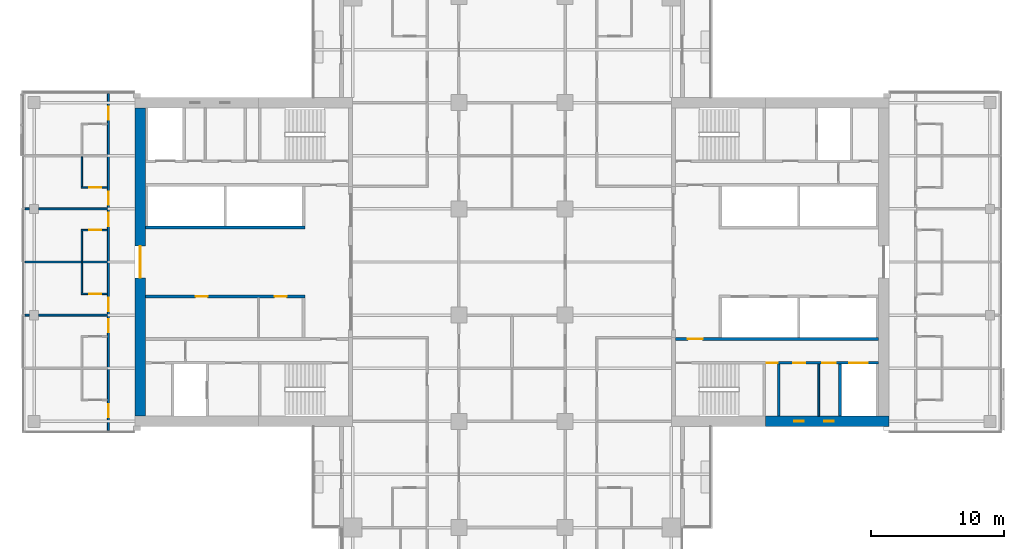
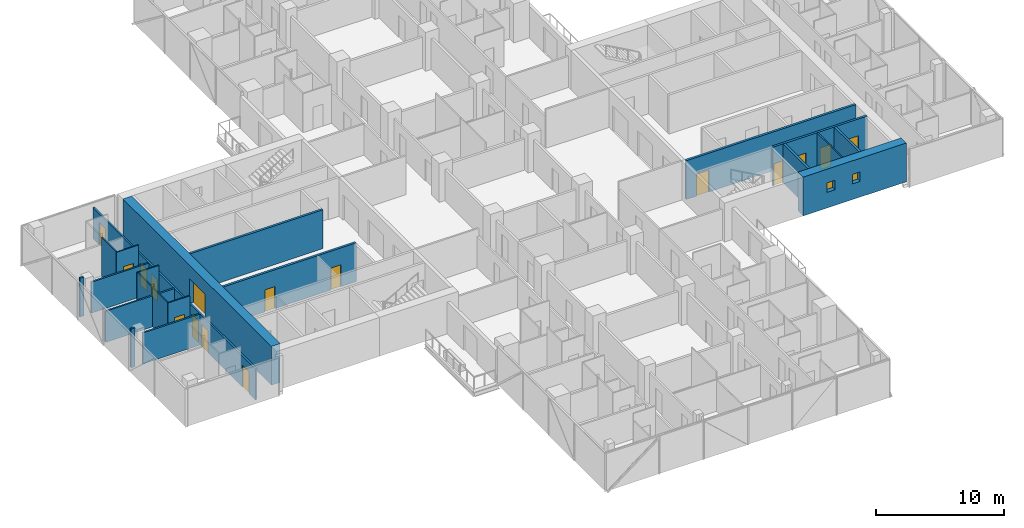
# One storey, part 18 of 29: 21 walls, 17 doors, 2 windows, 19 openings.
"""IFC4 building model written with IfcOpenShell, lengths in metres."""

from ifc_helpers import new_model, si_unit, direction, frame, frame_2d, origin, place, context, subcontext, project, spatial, rectangle, extrude, material, layer, layer_set, constituent, constituent_set, type_object, element, fill, save


model = new_model("IFC4")

# Units and contexts
model_context = context("Model", 3, precision=1e-05, world=origin(), true_north=direction((0.0, 1.0)))
body_context = subcontext(model_context, "Body", "Model", "MODEL_VIEW")
ifc_project = project(units=[si_unit("LENGTHUNIT", "METRE"), si_unit("AREAUNIT", "SQUARE_METRE"), si_unit("VOLUMEUNIT", "CUBIC_METRE"), si_unit("PLANEANGLEUNIT", "RADIAN"), si_unit("MASSUNIT", "GRAM", prefix="KILO")], contexts=[model_context])

# Site, building, storey
site_placement = place(None, origin())
site = spatial("IfcSite", under=ifc_project, at=site_placement, CompositionType="ELEMENT")
building_placement = place(site_placement, origin())
building = spatial("IfcBuilding", under=site, at=building_placement, Name="Crosswind Convention Tower", CompositionType="ELEMENT")
storey_placement = place(building_placement, frame((0.0, 0.0, 60.89990234375)))
storey = spatial("IfcBuildingStorey", under=building, at=storey_placement, Name="L09", CompositionType="ELEMENT", Elevation=60.89990234375)

# Wall
ifc_material_1 = material(Name="Concrete blockwork", Category="masonry")
ifc_layer_1 = layer(ifc_material_1, 0.199951171875)
ifc_layer_set_1 = layer_set([ifc_layer_1], Name="Blockwork partition wall 200")
wall_type_1 = type_object("IfcWallType", Name="Blockwork partition wall 200", PredefinedType="PARTITIONING", material=ifc_layer_set_1)
wall_1_placement = place(storey_placement, frame((145.10009765625, 88.39990234375, 0.0), z_axis=(0.0, 0.0, 1.0), x_axis=(0.0, 1.0, 0.0)))
element("IfcWall", 1, at=wall_1_placement, inside=storey, type_object=wall_type_1, Name="Wall MRSE E L09", PredefinedType="PARTITIONING", context=body_context, shape_type="SweptSolid", body=[
    extrude(rectangle(XDim=3.900146484375, YDim=0.199951171875, at=frame_2d((1.9501953125, 0.0))), origin(), (0.0, 0.0, 1.0), 3.7001953125),
])

# Wall, opening, door
ifc_material_2 = material(Name="Concrete C60/75", Category="concrete")
ifc_layer_2 = layer(ifc_material_2, 0.800048828125)
ifc_layer_set_2 = layer_set([ifc_layer_2], Name="Concrete C60/75")
wall_type_2 = type_object("IfcWallType", Name="Concrete core wall 800", PredefinedType="SHEAR", material=ifc_layer_set_2)
wall_2_placement = place(storey_placement, frame((97.0, 111.60009765625, 0.0), z_axis=(0.0, 0.0, 1.0), x_axis=(0.0, -1.0, 0.0)))
wall_2 = element("IfcWall", 2, at=wall_2_placement, inside=storey, type_object=wall_type_2, Name="Wall O W L09", PredefinedType="SHEAR", context=body_context, shape_type="SweptSolid", body=[
    extrude(rectangle(XDim=23.2001953125, YDim=0.800048828125, at=frame_2d((11.60009765625, 0.0))), origin(), (0.0, 0.0, 1.0), 3.7001953125),
])
opening_1_placement = place(wall_2_placement, frame((10.39990234375, 0.0, 0.0)))
opening_1 = element("IfcOpeningElement", 3, at=opening_1_placement, cuts=wall_2, Name="Opening D100", PredefinedType="OPENING", context=body_context, shape_type="SweptSolid", body=[
    extrude(rectangle(XDim=2.39990234375, YDim=2.39990234375, at=frame_2d((1.199951171875, 1.199951171875))), frame((0.0, 0.409912109375, 0.0), z_axis=(0.0, -1.0, 0.0), x_axis=(1.0, 0.0, 0.0)), (0.0, 0.0, 1.0), 0.820068359375),
])
ifc_material_3 = material(Name="Steel fire door with glazed vision panels", Category="steel")
door_type_1 = type_object("IfcDoorType", Name="Fire-rated double door 2400x2400", OperationType="DOUBLE_DOOR_SINGLE_SWING", PredefinedType="DOOR", material=ifc_material_3)
door_1_placement = place(opening_1_placement, origin())
door_1 = element("IfcDoor", 4, at=door_1_placement, inside=storey, type_object=door_type_1, Name="Lobby outer door L09", ObjectType="D100", OperationType="DOUBLE_DOOR_SINGLE_SWING", OverallHeight=2.39990234375, OverallWidth=2.39990234375, PredefinedType="DOOR", context=body_context, shape_type="SweptSolid", body=[
    extrude(rectangle(XDim=2.39990234375, YDim=2.39990234375, at=frame_2d((1.199951171875, 1.199951171875))), frame((0.0, 0.02490234375, 0.0), z_axis=(0.0, -1.0, 0.0), x_axis=(1.0, 0.0, 0.0)), (0.0, 0.0, 1.0), 0.050048828125),
])
fill(opening_1, door_1)

ifc_material_4 = material(Name="Concrete C50/60", Category="concrete")
ifc_layer_3 = layer(ifc_material_4, 0.199951171875)
ifc_layer_set_3 = layer_set([ifc_layer_3], Name="Concrete C50/60")
wall_type_3 = type_object("IfcWallType", Name="Concrete shaft and stair wall 200", PredefinedType="SHEAR", material=ifc_layer_set_3)
wall_3_placement = place(storey_placement, frame((137.300048828125, 94.199951171875, 0.0), z_axis=(0.0, 0.0, 1.0), x_axis=(1.0, 0.0, 0.0)))
wall_3 = element("IfcWall", 5, at=wall_3_placement, inside=storey, type_object=wall_type_3, Name="Wall HM E L09", PredefinedType="SHEAR", context=body_context, shape_type="SweptSolid", body=[
    extrude(rectangle(XDim=15.300048828125, YDim=0.199951171875, at=frame_2d((7.64990234375, 0.0))), origin(), (0.0, 0.0, 1.0), 3.7001953125),
])
opening_2_placement = place(wall_3_placement, frame((0.949951171875, 0.0, 0.0)))
opening_2 = element("IfcOpeningElement", 6, at=opening_2_placement, cuts=wall_3, Name="Opening D104", PredefinedType="OPENING", context=body_context, shape_type="SweptSolid", body=[
    extrude(rectangle(XDim=1.10009765625, YDim=2.10009765625, at=frame_2d((0.550048828125, 1.050048828125))), frame((0.0, 0.10986328125, 0.0), z_axis=(0.0, -1.0, 0.0), x_axis=(1.0, 0.0, 0.0)), (0.0, 0.0, 1.0), 0.219970703125),
])
ifc_material_5 = material(Name="Steel fire door", Category="steel")
door_type_2 = type_object("IfcDoorType", Name="Fire-rated single door 1100x2100", OperationType="NOTDEFINED", PredefinedType="DOOR", material=ifc_material_5)
door_2_placement = place(opening_2_placement, origin())
door_2 = element("IfcDoor", 7, at=door_2_placement, inside=storey, type_object=door_type_2, Name="Corridor door L09", ObjectType="D104", OperationType="SINGLE_SWING_LEFT", OverallHeight=2.10009765625, OverallWidth=1.10009765625, PredefinedType="DOOR", context=body_context, shape_type="SweptSolid", body=[
    extrude(rectangle(XDim=1.10009765625, YDim=2.10009765625, at=frame_2d((0.550048828125, 1.050048828125))), frame((0.0, 0.02490234375, 0.0), z_axis=(0.0, -1.0, 0.0), x_axis=(1.0, 0.0, 0.0)), (0.0, 0.0, 1.0), 0.050048828125),
])
fill(opening_2, door_2)

# Wall
wall_4_placement = place(storey_placement, frame((149.699951171875, 88.39990234375, 0.0), z_axis=(0.0, 0.0, 1.0), x_axis=(0.0, 1.0, 0.0)))
element("IfcWall", 8, at=wall_4_placement, inside=storey, type_object=wall_type_3, Name="Wall MFSW E L09", PredefinedType="SHEAR", context=body_context, shape_type="SweptSolid", body=[
    extrude(rectangle(XDim=3.900146484375, YDim=0.199951171875, at=frame_2d((1.9501953125, 0.0))), origin(), (0.0, 0.0, 1.0), 3.7001953125),
])

# Wall, openings, doors
wall_5_placement = place(storey_placement, frame((144.10009765625, 92.39990234375, 0.0), z_axis=(0.0, 0.0, 1.0), x_axis=(1.0, 0.0, 0.0)))
wall_5 = element("IfcWall", 9, at=wall_5_placement, inside=storey, type_object=wall_type_3, Name="Wall MCX E L09", PredefinedType="SHEAR", context=body_context, shape_type="SweptSolid", body=[
    extrude(rectangle(XDim=8.5, YDim=0.199951171875, at=frame_2d((4.25, 0.0))), origin(), (0.0, 0.0, 1.0), 3.7001953125),
])
opening_3_placement = place(wall_5_placement, frame((0.10009765625, 0.0, 0.0)))
opening_3 = element("IfcOpeningElement", 10, at=opening_3_placement, cuts=wall_5, Name="Opening D105", PredefinedType="OPENING", context=body_context, shape_type="SweptSolid", body=[
    extrude(rectangle(XDim=0.800048828125, YDim=2.10009765625, at=frame_2d((0.39990234375, 1.050048828125))), frame((0.0, 0.10986328125, 0.0), z_axis=(0.0, -1.0, 0.0), x_axis=(1.0, 0.0, 0.0)), (0.0, 0.0, 1.0), 0.219970703125),
])
opening_4_placement = place(wall_5_placement, frame((2.07080078125, 0.0, 0.0)))
opening_4 = element("IfcOpeningElement", 11, at=opening_4_placement, cuts=wall_5, Name="Opening D106", PredefinedType="OPENING", context=body_context, shape_type="SweptSolid", body=[
    extrude(rectangle(XDim=0.89990234375, YDim=2.10009765625, at=frame_2d((0.449951171875, 1.050048828125))), frame((0.0, 0.10986328125, 0.0), z_axis=(0.0, -1.0, 0.0), x_axis=(1.0, 0.0, 0.0)), (0.0, 0.0, 1.0), 0.219970703125),
])
opening_5_placement = place(wall_5_placement, frame((4.283203125, 0.0, 0.0)))
opening_5 = element("IfcOpeningElement", 12, at=opening_5_placement, cuts=wall_5, Name="Opening D103", PredefinedType="OPENING", context=body_context, shape_type="SweptSolid", body=[
    extrude(rectangle(XDim=1.0, YDim=2.10009765625, at=frame_2d((0.5, 1.050048828125))), frame((0.0, 0.10986328125, 0.0), z_axis=(0.0, -1.0, 0.0), x_axis=(1.0, 0.0, 0.0)), (0.0, 0.0, 1.0), 0.219970703125),
])
opening_6_placement = place(wall_5_placement, frame((6.300048828125, 0.0, 0.0)))
opening_6 = element("IfcOpeningElement", 13, at=opening_6_placement, cuts=wall_5, Name="Opening LD2", PredefinedType="OPENING", context=body_context, shape_type="SweptSolid", body=[
    extrude(rectangle(XDim=1.39990234375, YDim=2.10009765625, at=frame_2d((0.699951171875, 1.050048828125))), frame((0.0, 0.10986328125, 0.0), z_axis=(0.0, -1.0, 0.0), x_axis=(1.0, 0.0, 0.0)), (0.0, 0.0, 1.0), 0.219970703125),
])
door_type_3 = type_object("IfcDoorType", Name="Fire-rated single door 1000x2100", OperationType="NOTDEFINED", PredefinedType="DOOR", material=ifc_material_5)
door_3_placement = place(opening_5_placement, frame((1.0, 0.0, 0.0), z_axis=(0.0, 0.0, 1.0), x_axis=(-1.0, 0.0, 0.0)))
door_3 = element("IfcDoor", 14, at=door_3_placement, inside=storey, type_object=door_type_3, Name="Door to accessible wc L09", ObjectType="D103", OperationType="SINGLE_SWING_LEFT", OverallHeight=2.10009765625, OverallWidth=1.0, PredefinedType="DOOR", context=body_context, shape_type="SweptSolid", body=[
    extrude(rectangle(XDim=1.0, YDim=2.10009765625, at=frame_2d((0.5, 1.050048828125))), frame((0.0, 0.02490234375, 0.0), z_axis=(0.0, -1.0, 0.0), x_axis=(1.0, 0.0, 0.0)), (0.0, 0.0, 1.0), 0.050048828125),
])
fill(opening_5, door_3)
ifc_material_6 = material(Name="Stainless steel", Category="steel")
door_type_4 = type_object("IfcDoorType", Name="Lift landing door 1400x2100", OperationType="DOUBLE_DOOR_SLIDING", PredefinedType="DOOR", material=ifc_material_6)
door_4_placement = place(opening_6_placement, origin())
door_4 = element("IfcDoor", 15, at=door_4_placement, inside=storey, type_object=door_type_4, Name="Landing door SV1 L09", ObjectType="LD2", OperationType="DOUBLE_DOOR_SLIDING", OverallHeight=2.10009765625, OverallWidth=1.39990234375, PredefinedType="DOOR", context=body_context, shape_type="SweptSolid", body=[
    extrude(rectangle(XDim=1.39990234375, YDim=2.10009765625, at=frame_2d((0.699951171875, 1.050048828125))), frame((0.0, 0.02490234375, 0.0), z_axis=(0.0, -1.0, 0.0), x_axis=(1.0, 0.0, 0.0)), (0.0, 0.0, 1.0), 0.050048828125),
])
fill(opening_6, door_4)
door_type_5 = type_object("IfcDoorType", Name="Riser access door 800x2100", OperationType="NOTDEFINED", PredefinedType="DOOR", material=ifc_material_5)
door_5_placement = place(opening_3_placement, frame((0.800048828125, 0.0, 0.0), z_axis=(0.0, 0.0, 1.0), x_axis=(-1.0, 0.0, 0.0)))
door_5 = element("IfcDoor", 16, at=door_5_placement, inside=storey, type_object=door_type_5, Name="Riser door L09", ObjectType="D105", OperationType="SINGLE_SWING_LEFT", OverallHeight=2.10009765625, OverallWidth=0.800048828125, PredefinedType="DOOR", context=body_context, shape_type="SweptSolid", body=[
    extrude(rectangle(XDim=0.800048828125, YDim=2.10009765625, at=frame_2d((0.39990234375, 1.050048828125))), frame((0.0, 0.02490234375, 0.0), z_axis=(0.0, -1.0, 0.0), x_axis=(1.0, 0.0, 0.0)), (0.0, 0.0, 1.0), 0.050048828125),
])
fill(opening_3, door_5)
ifc_material_7 = material(Name="Timber door", Category="wood")
door_type_6 = type_object("IfcDoorType", Name="Single leaf door 900x2100", OperationType="NOTDEFINED", PredefinedType="DOOR", material=ifc_material_7)
door_6_placement = place(opening_4_placement, frame((0.89990234375, 0.0, 0.0), z_axis=(0.0, 0.0, 1.0), x_axis=(-1.0, 0.0, 0.0)))
door_6 = element("IfcDoor", 17, at=door_6_placement, inside=storey, type_object=door_type_6, Name="Door to wc L09", ObjectType="D106", OperationType="SINGLE_SWING_LEFT", OverallHeight=2.10009765625, OverallWidth=0.89990234375, PredefinedType="DOOR", context=body_context, shape_type="SweptSolid", body=[
    extrude(rectangle(XDim=0.89990234375, YDim=2.10009765625, at=frame_2d((0.449951171875, 1.050048828125))), frame((0.0, 0.02490234375, 0.0), z_axis=(0.0, -1.0, 0.0), x_axis=(1.0, 0.0, 0.0)), (0.0, 0.0, 1.0), 0.050048828125),
])
fill(opening_4, door_6)

wall_6_placement = place(storey_placement, frame((109.39990234375, 97.39990234375, 0.0), z_axis=(0.0, 0.0, 1.0), x_axis=(-1.0, 0.0, 0.0)))
wall_6 = element("IfcWall", 18, at=wall_6_placement, inside=storey, type_object=wall_type_3, Name="Wall RPFRONT W L09", PredefinedType="SHEAR", context=body_context, shape_type="SweptSolid", body=[
    extrude(rectangle(XDim=12.0, YDim=0.199951171875, at=frame_2d((6.0, 0.0))), origin(), (0.0, 0.0, 1.0), 3.7001953125),
])
opening_7_placement = place(wall_6_placement, frame((1.370849609375, 0.0, 0.0)))
opening_7 = element("IfcOpeningElement", 19, at=opening_7_placement, cuts=wall_6, Name="Opening D106", PredefinedType="OPENING", context=body_context, shape_type="SweptSolid", body=[
    extrude(rectangle(XDim=0.89990234375, YDim=2.10009765625, at=frame_2d((0.449951171875, 1.050048828125))), frame((0.0, 0.10986328125, 0.0), z_axis=(0.0, -1.0, 0.0), x_axis=(1.0, 0.0, 0.0)), (0.0, 0.0, 1.0), 0.219970703125),
])
opening_8_placement = place(wall_6_placement, frame((7.333251953125, 0.0, 0.0)))
opening_8 = element("IfcOpeningElement", 20, at=opening_8_placement, cuts=wall_6, Name="Opening D106", PredefinedType="OPENING", context=body_context, shape_type="SweptSolid", body=[
    extrude(rectangle(XDim=0.89990234375, YDim=2.10009765625, at=frame_2d((0.449951171875, 1.050048828125))), frame((0.0, 0.10986328125, 0.0), z_axis=(0.0, -1.0, 0.0), x_axis=(1.0, 0.0, 0.0)), (0.0, 0.0, 1.0), 0.219970703125),
])
door_7_placement = place(opening_7_placement, origin())
door_7 = element("IfcDoor", 21, at=door_7_placement, inside=storey, type_object=door_type_6, Name="Door to housekeeping store L09", ObjectType="D106", OperationType="SINGLE_SWING_RIGHT", OverallHeight=2.10009765625, OverallWidth=0.89990234375, PredefinedType="DOOR", context=body_context, shape_type="SweptSolid", body=[
    extrude(rectangle(XDim=0.89990234375, YDim=2.10009765625, at=frame_2d((0.449951171875, 1.050048828125))), frame((0.0, 0.02490234375, 0.0), z_axis=(0.0, -1.0, 0.0), x_axis=(1.0, 0.0, 0.0)), (0.0, 0.0, 1.0), 0.050048828125),
])
fill(opening_7, door_7)
door_8_placement = place(opening_8_placement, origin())
door_8 = element("IfcDoor", 22, at=door_8_placement, inside=storey, type_object=door_type_6, Name="Door to linen store L09", ObjectType="D106", OperationType="SINGLE_SWING_RIGHT", OverallHeight=2.10009765625, OverallWidth=0.89990234375, PredefinedType="DOOR", context=body_context, shape_type="SweptSolid", body=[
    extrude(rectangle(XDim=0.89990234375, YDim=2.10009765625, at=frame_2d((0.449951171875, 1.050048828125))), frame((0.0, 0.02490234375, 0.0), z_axis=(0.0, -1.0, 0.0), x_axis=(1.0, 0.0, 0.0)), (0.0, 0.0, 1.0), 0.050048828125),
])
fill(opening_8, door_8)

# Walls
wall_7_placement = place(storey_placement, frame((109.39990234375, 102.60009765625, 0.0), z_axis=(0.0, 0.0, 1.0), x_axis=(-1.0, 0.0, 0.0)))
element("IfcWall", 23, at=wall_7_placement, inside=storey, type_object=wall_type_3, Name="Wall RMFRONT W L09", PredefinedType="SHEAR", context=body_context, shape_type="SweptSolid", body=[
    extrude(rectangle(XDim=12.0, YDim=0.199951171875, at=frame_2d((6.0, 0.0))), origin(), (0.0, 0.0, 1.0), 3.7001953125),
])
ifc_material_8 = material(Name="Gypsum plasterboard partition", Category="gypsum")
ifc_layer_4 = layer(ifc_material_8, 0.125)
ifc_layer_set_4 = layer_set([ifc_layer_4], Name="Drywall partition wall 125")
wall_type_4 = type_object("IfcWallType", Name="Drywall partition wall 125", PredefinedType="PARTITIONING", material=ifc_layer_set_4)
wall_8_placement = place(storey_placement, frame((148.10400390625, 88.39990234375, 0.0), z_axis=(0.0, 0.0, 1.0), x_axis=(0.0, 1.0, 0.0)))
element("IfcWall", 24, at=wall_8_placement, inside=storey, type_object=wall_type_4, Name="Wall MWP1 E L09", PredefinedType="PARTITIONING", context=body_context, shape_type="SweptSolid", body=[
    extrude(rectangle(XDim=3.900146484375, YDim=0.125, at=frame_2d((1.9501953125, 0.0))), origin(), (0.0, 0.0, 1.0), 3.7001953125),
])
ifc_material_9 = material(Name="Acoustic plasterboard partition", Category="gypsum")
ifc_layer_5 = layer(ifc_material_9, 0.14990234375)
ifc_layer_set_5 = layer_set([ifc_layer_5], Name="GUEST ROOM WALL 150")
wall_type_5 = type_object("IfcWallType", Name="GUEST ROOM WALL 150", PredefinedType="PARTITIONING", material=ifc_layer_set_5)
wall_9_placement = place(storey_placement, frame((88.300048828125, 96.0, 0.0), z_axis=(0.0, 0.0, 1.0), x_axis=(1.0, 0.0, 0.0)))
element("IfcWall", 25, at=wall_9_placement, inside=storey, type_object=wall_type_5, Name="Guest Room Wall 35", PredefinedType="PARTITIONING", context=body_context, shape_type="SweptSolid", body=[
    extrude(rectangle(XDim=0.349853515625, YDim=0.14990234375, at=frame_2d((0.1748046875, 0.0))), origin(), (0.0, 0.0, 1.0), 3.7001953125),
])
wall_10_placement = place(storey_placement, frame((89.35009765625, 96.0, 0.0), z_axis=(0.0, 0.0, 1.0), x_axis=(1.0, 0.0, 0.0)))
element("IfcWall", 26, at=wall_10_placement, inside=storey, type_object=wall_type_5, Name="Guest Room Wall 36", PredefinedType="PARTITIONING", context=body_context, shape_type="SweptSolid", body=[
    extrude(rectangle(XDim=5.1748046875, YDim=0.14990234375, at=frame_2d((2.58740234375, 0.0))), origin(), (0.0, 0.0, 1.0), 2.95654296875),
])
wall_11_placement = place(storey_placement, frame((88.300048828125, 100.0, 0.0), z_axis=(0.0, 0.0, 1.0), x_axis=(1.0, 0.0, 0.0)))
element("IfcWall", 27, at=wall_11_placement, inside=storey, type_object=wall_type_5, Name="Guest Room Wall 43", PredefinedType="PARTITIONING", context=body_context, shape_type="SweptSolid", body=[
    extrude(rectangle(XDim=6.224853515625, YDim=0.14990234375, at=frame_2d((3.1123046875, 0.0))), origin(), (0.0, 0.0, 1.0), 2.962890625),
])
wall_12_placement = place(storey_placement, frame((88.300048828125, 104.0, 0.0), z_axis=(0.0, 0.0, 1.0), x_axis=(1.0, 0.0, 0.0)))
element("IfcWall", 28, at=wall_12_placement, inside=storey, type_object=wall_type_5, Name="Guest Room Wall 47", PredefinedType="PARTITIONING", context=body_context, shape_type="SweptSolid", body=[
    extrude(rectangle(XDim=0.349853515625, YDim=0.14990234375, at=frame_2d((0.1748046875, 0.0))), origin(), (0.0, 0.0, 1.0), 3.7001953125),
])
wall_13_placement = place(storey_placement, frame((89.35009765625, 104.0, 0.0), z_axis=(0.0, 0.0, 1.0), x_axis=(1.0, 0.0, 0.0)))
element("IfcWall", 29, at=wall_13_placement, inside=storey, type_object=wall_type_5, Name="Guest Room Wall 48", PredefinedType="PARTITIONING", context=body_context, shape_type="SweptSolid", body=[
    extrude(rectangle(XDim=5.1748046875, YDim=0.14990234375, at=frame_2d((2.58740234375, 0.0))), origin(), (0.0, 0.0, 1.0), 2.95654296875),
])

# Wall, openings, doors
wall_14_placement = place(storey_placement, frame((94.60009765625, 87.300048828125, 0.0), z_axis=(0.0, 0.0, 1.0), x_axis=(0.0, 1.0, 0.0)))
wall_14 = element("IfcWall", 30, at=wall_14_placement, inside=storey, type_object=wall_type_5, Name="Guest Room Wall 92", PredefinedType="PARTITIONING", context=body_context, shape_type="SweptSolid", body=[
    extrude(rectangle(XDim=25.39990234375, YDim=0.14990234375, at=frame_2d((12.699951171875, 0.0))), origin(), (0.0, 0.0, 1.0), 2.95654296875),
])
opening_9_placement = place(wall_14_placement, frame((1.0, 0.0, 0.0)))
opening_9 = element("IfcOpeningElement", 31, at=opening_9_placement, cuts=wall_14, Name="Opening 09.057", PredefinedType="OPENING", context=body_context, shape_type="SweptSolid", body=[
    extrude(rectangle(XDim=1.0, YDim=2.10009765625, at=frame_2d((0.5, 1.050048828125))), frame((0.0, 0.0849609375, 0.0), z_axis=(0.0, -1.0, 0.0), x_axis=(1.0, 0.0, 0.0)), (0.0, 0.0, 1.0), 0.169921875),
])
opening_10_placement = place(wall_14_placement, frame((7.39990234375, 0.0, 0.0)))
opening_10 = element("IfcOpeningElement", 32, at=opening_10_placement, cuts=wall_14, Name="Opening 09.059", PredefinedType="OPENING", context=body_context, shape_type="SweptSolid", body=[
    extrude(rectangle(XDim=1.0, YDim=2.10009765625, at=frame_2d((0.5, 1.050048828125))), frame((0.0, 0.0849609375, 0.0), z_axis=(0.0, -1.0, 0.0), x_axis=(1.0, 0.0, 0.0)), (0.0, 0.0, 1.0), 0.169921875),
])
opening_11_placement = place(wall_14_placement, frame((9.0, 0.0, 0.0)))
opening_11 = element("IfcOpeningElement", 33, at=opening_11_placement, cuts=wall_14, Name="Opening 09.061", PredefinedType="OPENING", context=body_context, shape_type="SweptSolid", body=[
    extrude(rectangle(XDim=1.0, YDim=2.10009765625, at=frame_2d((0.5, 1.050048828125))), frame((0.0, 0.0849609375, 0.0), z_axis=(0.0, -1.0, 0.0), x_axis=(1.0, 0.0, 0.0)), (0.0, 0.0, 1.0), 0.169921875),
])
opening_12_placement = place(wall_14_placement, frame((15.39990234375, 0.0, 0.0)))
opening_12 = element("IfcOpeningElement", 34, at=opening_12_placement, cuts=wall_14, Name="Opening 09.063", PredefinedType="OPENING", context=body_context, shape_type="SweptSolid", body=[
    extrude(rectangle(XDim=1.0, YDim=2.10009765625, at=frame_2d((0.5, 1.050048828125))), frame((0.0, 0.0849609375, 0.0), z_axis=(0.0, -1.0, 0.0), x_axis=(1.0, 0.0, 0.0)), (0.0, 0.0, 1.0), 0.169921875),
])
opening_13_placement = place(wall_14_placement, frame((17.0, 0.0, 0.0)))
opening_13 = element("IfcOpeningElement", 35, at=opening_13_placement, cuts=wall_14, Name="Opening 09.065", PredefinedType="OPENING", context=body_context, shape_type="SweptSolid", body=[
    extrude(rectangle(XDim=1.0, YDim=2.10009765625, at=frame_2d((0.5, 1.050048828125))), frame((0.0, 0.0849609375, 0.0), z_axis=(0.0, -1.0, 0.0), x_axis=(1.0, 0.0, 0.0)), (0.0, 0.0, 1.0), 0.169921875),
])
opening_14_placement = place(wall_14_placement, frame((23.39990234375, 0.0, 0.0)))
opening_14 = element("IfcOpeningElement", 36, at=opening_14_placement, cuts=wall_14, Name="Opening 09.067", PredefinedType="OPENING", context=body_context, shape_type="SweptSolid", body=[
    extrude(rectangle(XDim=1.0, YDim=2.10009765625, at=frame_2d((0.5, 1.050048828125))), frame((0.0, 0.0849609375, 0.0), z_axis=(0.0, -1.0, 0.0), x_axis=(1.0, 0.0, 0.0)), (0.0, 0.0, 1.0), 0.169921875),
])
ifc_material_10 = material(Name="Timber fire door", Category="wood")
door_type_7 = type_object("IfcDoorType", Name="GUEST ROOM DOOR 1000X2100", OperationType="NOTDEFINED", PredefinedType="DOOR", material=ifc_material_10)
door_9_placement = place(opening_9_placement, origin())
door_9 = element("IfcDoor", 37, at=door_9_placement, inside=storey, type_object=door_type_7, Name="Door 09.057", ObjectType="D1", OperationType="SINGLE_SWING_RIGHT", OverallHeight=2.10009765625, OverallWidth=1.0, PredefinedType="DOOR", context=body_context, shape_type="SweptSolid", body=[
    extrude(rectangle(XDim=1.0, YDim=2.10009765625, at=frame_2d((0.5, 1.050048828125))), frame((0.0, 0.02490234375, 0.0), z_axis=(0.0, -1.0, 0.0), x_axis=(1.0, 0.0, 0.0)), (0.0, 0.0, 1.0), 0.050048828125),
])
fill(opening_9, door_9)
door_10_placement = place(opening_10_placement, origin())
door_10 = element("IfcDoor", 38, at=door_10_placement, inside=storey, type_object=door_type_7, Name="Door 09.059", ObjectType="D1", OperationType="SINGLE_SWING_RIGHT", OverallHeight=2.10009765625, OverallWidth=1.0, PredefinedType="DOOR", context=body_context, shape_type="SweptSolid", body=[
    extrude(rectangle(XDim=1.0, YDim=2.10009765625, at=frame_2d((0.5, 1.050048828125))), frame((0.0, 0.02490234375, 0.0), z_axis=(0.0, -1.0, 0.0), x_axis=(1.0, 0.0, 0.0)), (0.0, 0.0, 1.0), 0.050048828125),
])
fill(opening_10, door_10)
door_11_placement = place(opening_11_placement, origin())
door_11 = element("IfcDoor", 39, at=door_11_placement, inside=storey, type_object=door_type_7, Name="Door 09.061", ObjectType="D1", OperationType="SINGLE_SWING_RIGHT", OverallHeight=2.10009765625, OverallWidth=1.0, PredefinedType="DOOR", context=body_context, shape_type="SweptSolid", body=[
    extrude(rectangle(XDim=1.0, YDim=2.10009765625, at=frame_2d((0.5, 1.050048828125))), frame((0.0, 0.02490234375, 0.0), z_axis=(0.0, -1.0, 0.0), x_axis=(1.0, 0.0, 0.0)), (0.0, 0.0, 1.0), 0.050048828125),
])
fill(opening_11, door_11)
door_12_placement = place(opening_12_placement, origin())
door_12 = element("IfcDoor", 40, at=door_12_placement, inside=storey, type_object=door_type_7, Name="Door 09.063", ObjectType="D1", OperationType="SINGLE_SWING_RIGHT", OverallHeight=2.10009765625, OverallWidth=1.0, PredefinedType="DOOR", context=body_context, shape_type="SweptSolid", body=[
    extrude(rectangle(XDim=1.0, YDim=2.10009765625, at=frame_2d((0.5, 1.050048828125))), frame((0.0, 0.02490234375, 0.0), z_axis=(0.0, -1.0, 0.0), x_axis=(1.0, 0.0, 0.0)), (0.0, 0.0, 1.0), 0.050048828125),
])
fill(opening_12, door_12)
door_13_placement = place(opening_13_placement, origin())
door_13 = element("IfcDoor", 41, at=door_13_placement, inside=storey, type_object=door_type_7, Name="Door 09.065", ObjectType="D1", OperationType="SINGLE_SWING_RIGHT", OverallHeight=2.10009765625, OverallWidth=1.0, PredefinedType="DOOR", context=body_context, shape_type="SweptSolid", body=[
    extrude(rectangle(XDim=1.0, YDim=2.10009765625, at=frame_2d((0.5, 1.050048828125))), frame((0.0, 0.02490234375, 0.0), z_axis=(0.0, -1.0, 0.0), x_axis=(1.0, 0.0, 0.0)), (0.0, 0.0, 1.0), 0.050048828125),
])
fill(opening_13, door_13)
door_14_placement = place(opening_14_placement, origin())
door_14 = element("IfcDoor", 42, at=door_14_placement, inside=storey, type_object=door_type_7, Name="Door 09.067", ObjectType="D1", OperationType="SINGLE_SWING_LEFT", OverallHeight=2.10009765625, OverallWidth=1.0, PredefinedType="DOOR", context=body_context, shape_type="SweptSolid", body=[
    extrude(rectangle(XDim=1.0, YDim=2.10009765625, at=frame_2d((0.5, 1.050048828125))), frame((0.0, 0.02490234375, 0.0), z_axis=(0.0, -1.0, 0.0), x_axis=(1.0, 0.0, 0.0)), (0.0, 0.0, 1.0), 0.050048828125),
])
fill(opening_14, door_14)

# Wall, openings, windows
ifc_constituent_1 = constituent(ifc_material_2, Name="Structure")
ifc_material_11 = material(Name="Terracotta rainscreen", Category="ceramic")
ifc_constituent_2 = constituent(ifc_material_11, Name="Facing")
ifc_constituent_set = constituent_set(constituents=[ifc_constituent_1, ifc_constituent_2], Name="Concrete C60/75, Terracotta rainscreen")
wall_type_6 = type_object("IfcWallType", Name="Terracotta rainscreen on concrete core wall 800", PredefinedType="SHEAR", material=ifc_constituent_set)
wall_15_placement = place(storey_placement, frame((144.10009765625, 88.0, 0.0), z_axis=(0.0, 0.0, 1.0), x_axis=(1.0, 0.0, 0.0)))
wall_15 = element("IfcWall", 43, at=wall_15_placement, inside=storey, type_object=wall_type_6, Name="Wall S2 E L09", PredefinedType="SHEAR", context=body_context, shape_type="SweptSolid", body=[
    extrude(rectangle(XDim=9.2998046875, YDim=0.800048828125, at=frame_2d((4.64990234375, 0.0))), origin(), (0.0, 0.0, 1.0), 3.7001953125),
])
opening_15_placement = place(wall_15_placement, frame((2.170654296875, 0.0, 1.5)))
opening_15 = element("IfcOpeningElement", 44, at=opening_15_placement, cuts=wall_15, Name="Opening W2", PredefinedType="OPENING", context=body_context, shape_type="SweptSolid", body=[
    extrude(rectangle(XDim=0.699951171875, YDim=0.89990234375, at=frame_2d((0.35009765625, 0.449951171875))), frame((0.0, 0.409912109375, 0.0), z_axis=(0.0, -1.0, 0.0), x_axis=(1.0, 0.0, 0.0)), (0.0, 0.0, 1.0), 0.820068359375),
])
opening_16_placement = place(wall_15_placement, frame((4.433349609375, 0.0, 1.5)))
opening_16 = element("IfcOpeningElement", 45, at=opening_16_placement, cuts=wall_15, Name="Opening W2", PredefinedType="OPENING", context=body_context, shape_type="SweptSolid", body=[
    extrude(rectangle(XDim=0.699951171875, YDim=0.89990234375, at=frame_2d((0.35009765625, 0.449951171875))), frame((0.0, 0.409912109375, 0.0), z_axis=(0.0, -1.0, 0.0), x_axis=(1.0, 0.0, 0.0)), (0.0, 0.0, 1.0), 0.820068359375),
])
ifc_material_12 = material(Name="Obscure glass in aluminium frame", Category="aluminium")
window_type = type_object("IfcWindowType", Name="WC window 700x900", PartitioningType="SINGLE_PANEL", PredefinedType="WINDOW", material=ifc_material_12)
window_1_placement = place(opening_15_placement, origin())
window_1 = element("IfcWindow", 46, at=window_1_placement, inside=storey, type_object=window_type, Name="WC window L09", ObjectType="W2", OverallHeight=0.89990234375, OverallWidth=0.699951171875, PartitioningType="SINGLE_PANEL", PredefinedType="WINDOW", context=body_context, shape_type="SweptSolid", body=[
    extrude(rectangle(XDim=0.699951171875, YDim=0.89990234375, at=frame_2d((0.35009765625, 0.449951171875))), frame((0.0, 0.030029296875, 0.0), z_axis=(0.0, -1.0, 0.0), x_axis=(1.0, 0.0, 0.0)), (0.0, 0.0, 1.0), 0.06005859375),
])
fill(opening_15, window_1)
window_2_placement = place(opening_16_placement, origin())
window_2 = element("IfcWindow", 47, at=window_2_placement, inside=storey, type_object=window_type, Name="WC window L09", ObjectType="W2", OverallHeight=0.89990234375, OverallWidth=0.699951171875, PartitioningType="SINGLE_PANEL", PredefinedType="WINDOW", context=body_context, shape_type="SweptSolid", body=[
    extrude(rectangle(XDim=0.699951171875, YDim=0.89990234375, at=frame_2d((0.35009765625, 0.449951171875))), frame((0.0, 0.030029296875, 0.0), z_axis=(0.0, -1.0, 0.0), x_axis=(1.0, 0.0, 0.0)), (0.0, 0.0, 1.0), 0.06005859375),
])
fill(opening_16, window_2)

# Wall, opening, door
ifc_material_13 = material(Name="Water-resistant plasterboard partition", Category="gypsum")
ifc_layer_6 = layer(ifc_material_13, 0.10009765625)
ifc_layer_set_6 = layer_set([ifc_layer_6], Name="WET ROOM PARTITION 100")
wall_type_7 = type_object("IfcWallType", Name="WET ROOM PARTITION 100", PredefinedType="PLUMBINGWALL", material=ifc_layer_set_6)
wall_16_placement = place(storey_placement, frame((92.550048828125, 97.60009765625, 0.0), z_axis=(0.0, 0.0, 1.0), x_axis=(1.0, 0.0, 0.0)))
wall_16 = element("IfcWall", 48, at=wall_16_placement, inside=storey, type_object=wall_type_7, Name="Wet Room Partition 41", PredefinedType="PLUMBINGWALL", context=body_context, shape_type="SweptSolid", body=[
    extrude(rectangle(XDim=1.974853515625, YDim=0.10009765625, at=frame_2d((0.9873046875, 0.0))), origin(), (0.0, 0.0, 1.0), 3.7001953125),
])
opening_17_placement = place(wall_16_placement, frame((0.60009765625, 0.0, 0.0)))
opening_17 = element("IfcOpeningElement", 49, at=opening_17_placement, cuts=wall_16, Name="Opening 09.062", PredefinedType="OPENING", context=body_context, shape_type="SweptSolid", body=[
    extrude(rectangle(XDim=0.89990234375, YDim=2.10009765625, at=frame_2d((0.449951171875, 1.050048828125))), frame((0.0, 0.06005859375, 0.0), z_axis=(0.0, -1.0, 0.0), x_axis=(1.0, 0.0, 0.0)), (0.0, 0.0, 1.0), 0.1201171875),
])
door_type_8 = type_object("IfcDoorType", Name="EN-SUITE DOOR 900X2100", OperationType="NOTDEFINED", PredefinedType="DOOR", material=ifc_material_7)
door_15_placement = place(opening_17_placement, origin())
door_15 = element("IfcDoor", 50, at=door_15_placement, inside=storey, type_object=door_type_8, Name="Door 09.062", ObjectType="D2", OperationType="SINGLE_SWING_RIGHT", OverallHeight=2.10009765625, OverallWidth=0.89990234375, PredefinedType="DOOR", context=body_context, shape_type="SweptSolid", body=[
    extrude(rectangle(XDim=0.89990234375, YDim=2.10009765625, at=frame_2d((0.449951171875, 1.050048828125))), frame((0.0, 0.02490234375, 0.0), z_axis=(0.0, -1.0, 0.0), x_axis=(1.0, 0.0, 0.0)), (0.0, 0.0, 1.0), 0.050048828125),
])
fill(opening_17, door_15)

wall_17_placement = place(storey_placement, frame((92.550048828125, 102.39990234375, 0.0), z_axis=(0.0, 0.0, 1.0), x_axis=(1.0, 0.0, 0.0)))
wall_17 = element("IfcWall", 51, at=wall_17_placement, inside=storey, type_object=wall_type_7, Name="Wet Room Partition 45", PredefinedType="PLUMBINGWALL", context=body_context, shape_type="SweptSolid", body=[
    extrude(rectangle(XDim=1.974853515625, YDim=0.10009765625, at=frame_2d((0.9873046875, 0.0))), origin(), (0.0, 0.0, 1.0), 3.7001953125),
])
opening_18_placement = place(wall_17_placement, frame((0.60009765625, 0.0, 0.0)))
opening_18 = element("IfcOpeningElement", 52, at=opening_18_placement, cuts=wall_17, Name="Opening 09.064", PredefinedType="OPENING", context=body_context, shape_type="SweptSolid", body=[
    extrude(rectangle(XDim=0.89990234375, YDim=2.10009765625, at=frame_2d((0.449951171875, 1.050048828125))), frame((0.0, 0.06005859375, 0.0), z_axis=(0.0, -1.0, 0.0), x_axis=(1.0, 0.0, 0.0)), (0.0, 0.0, 1.0), 0.1201171875),
])
door_16_placement = place(opening_18_placement, frame((0.89990234375, 0.0, 0.0), z_axis=(0.0, 0.0, 1.0), x_axis=(-1.0, 0.0, 0.0)))
door_16 = element("IfcDoor", 53, at=door_16_placement, inside=storey, type_object=door_type_8, Name="Door 09.064", ObjectType="D2", OperationType="SINGLE_SWING_LEFT", OverallHeight=2.10009765625, OverallWidth=0.89990234375, PredefinedType="DOOR", context=body_context, shape_type="SweptSolid", body=[
    extrude(rectangle(XDim=0.89990234375, YDim=2.10009765625, at=frame_2d((0.449951171875, 1.050048828125))), frame((0.0, 0.02490234375, 0.0), z_axis=(0.0, -1.0, 0.0), x_axis=(1.0, 0.0, 0.0)), (0.0, 0.0, 1.0), 0.050048828125),
])
fill(opening_18, door_16)

wall_18_placement = place(storey_placement, frame((92.550048828125, 105.60009765625, 0.0), z_axis=(0.0, 0.0, 1.0), x_axis=(1.0, 0.0, 0.0)))
wall_18 = element("IfcWall", 54, at=wall_18_placement, inside=storey, type_object=wall_type_7, Name="Wet Room Partition 52", PredefinedType="PLUMBINGWALL", context=body_context, shape_type="SweptSolid", body=[
    extrude(rectangle(XDim=1.974853515625, YDim=0.10009765625, at=frame_2d((0.9873046875, 0.0))), origin(), (0.0, 0.0, 1.0), 3.7001953125),
])
opening_19_placement = place(wall_18_placement, frame((0.60009765625, 0.0, 0.0)))
opening_19 = element("IfcOpeningElement", 55, at=opening_19_placement, cuts=wall_18, Name="Opening 09.066", PredefinedType="OPENING", context=body_context, shape_type="SweptSolid", body=[
    extrude(rectangle(XDim=0.89990234375, YDim=2.10009765625, at=frame_2d((0.449951171875, 1.050048828125))), frame((0.0, 0.06005859375, 0.0), z_axis=(0.0, -1.0, 0.0), x_axis=(1.0, 0.0, 0.0)), (0.0, 0.0, 1.0), 0.1201171875),
])
door_17_placement = place(opening_19_placement, origin())
door_17 = element("IfcDoor", 56, at=door_17_placement, inside=storey, type_object=door_type_8, Name="Door 09.066", ObjectType="D2", OperationType="SINGLE_SWING_RIGHT", OverallHeight=2.10009765625, OverallWidth=0.89990234375, PredefinedType="DOOR", context=body_context, shape_type="SweptSolid", body=[
    extrude(rectangle(XDim=0.89990234375, YDim=2.10009765625, at=frame_2d((0.449951171875, 1.050048828125))), frame((0.0, 0.02490234375, 0.0), z_axis=(0.0, -1.0, 0.0), x_axis=(1.0, 0.0, 0.0)), (0.0, 0.0, 1.0), 0.050048828125),
])
fill(opening_19, door_17)

# Walls
for number, where, z_axis, x_axis, name in (
    (57, (92.60009765625, 97.64990234375, 0.0), (0.0, 0.0, 1.0), (0.0, 1.0, 0.0), "Wet Room Partition 88"),
    (58, (92.60009765625, 100.074951171875, 0.0), (0.0, 0.0, 1.0), (0.0, 1.0, 0.0), "Wet Room Partition 89"),
    (59, (92.60009765625, 105.64990234375, 0.0), (0.0, 0.0, 1.0), (0.0, 1.0, 0.0), "Wet Room Partition 90"),
):
    element("IfcWall", number, at=place(storey_placement, frame(where, z_axis=z_axis, x_axis=x_axis)), inside=storey, type_object=wall_type_7, Name=name, PredefinedType="PLUMBINGWALL", context=body_context, shape_type="SweptSolid", body=[
        extrude(rectangle(XDim=2.275146484375, YDim=0.10009765625, at=frame_2d((1.1376953125, 0.0))), origin(), (0.0, 0.0, 1.0), 3.7001953125),
    ])

save(model, "model.ifc")
